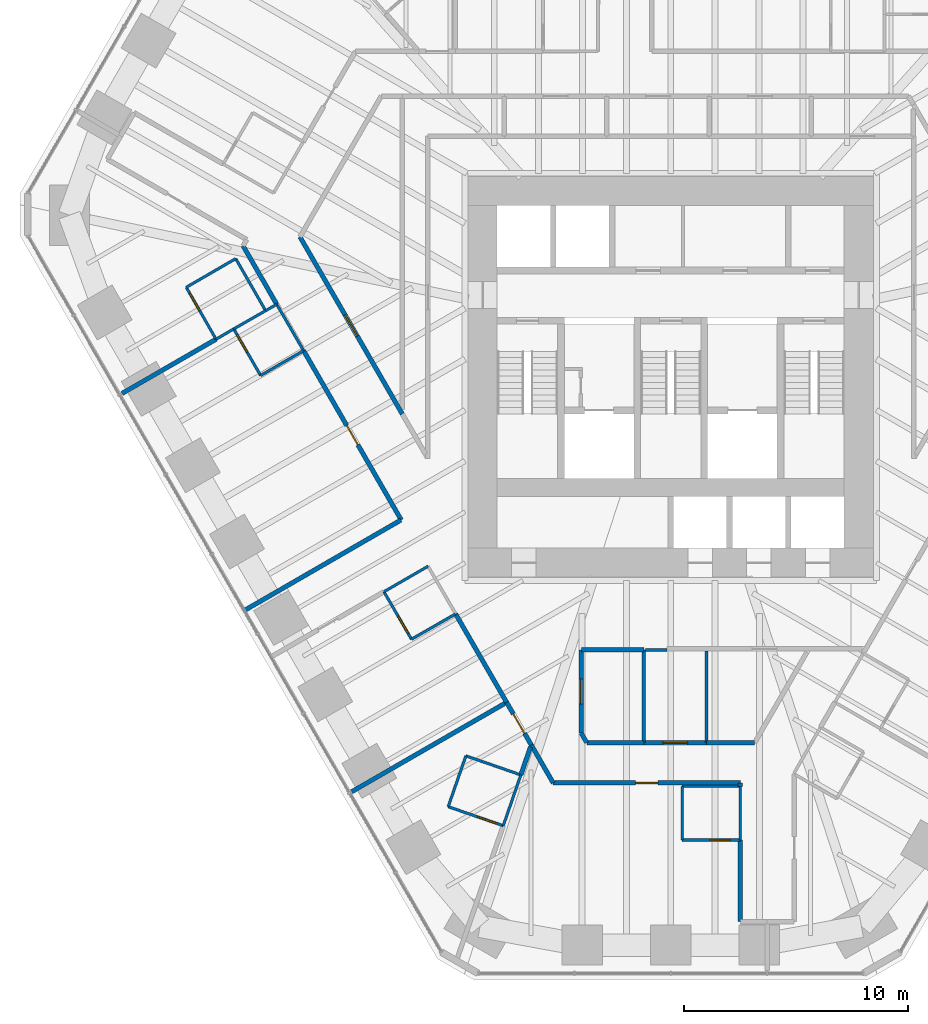
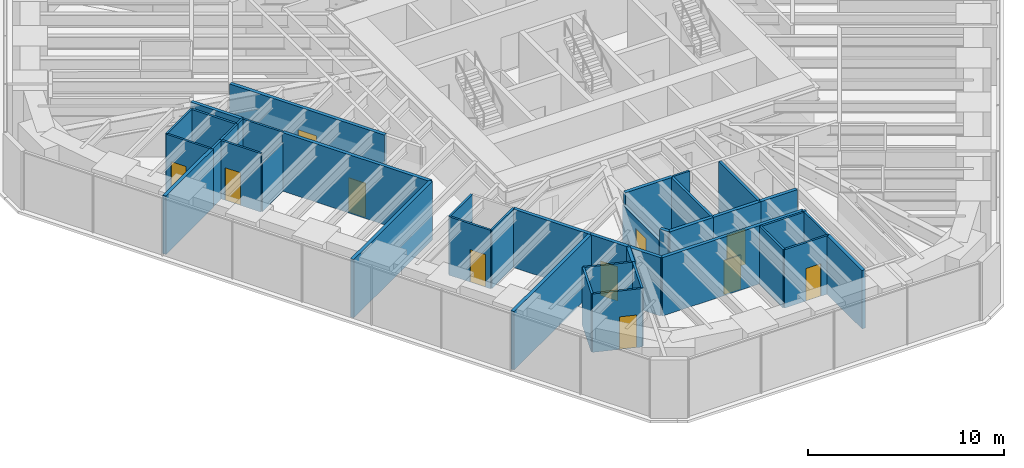
# One storey, part 11 of 17: 42 walls, 11 doors, 11 openings.
"""IFC4 building model written with IfcOpenShell, lengths in metres."""

from ifc_helpers import new_model, si_unit, direction, frame, frame_2d, origin, place, context, subcontext, project, spatial, rectangle, extrude, material, layer, layer_set, type_object, element, fill, save


model = new_model("IFC4")

# Units and contexts
model_context = context("Model", 3, precision=1e-05, world=origin(), true_north=direction((0.0, 1.0)))
body_context = subcontext(model_context, "Body", "Model", "MODEL_VIEW")
ifc_project = project(units=[si_unit("LENGTHUNIT", "METRE"), si_unit("AREAUNIT", "SQUARE_METRE"), si_unit("VOLUMEUNIT", "CUBIC_METRE"), si_unit("PLANEANGLEUNIT", "RADIAN"), si_unit("MASSUNIT", "GRAM", prefix="KILO")], contexts=[model_context])

# Site, building, storey
site_placement = place(None, origin())
site = spatial("IfcSite", under=ifc_project, at=site_placement, CompositionType="ELEMENT")
building_placement = place(site_placement, origin())
building = spatial("IfcBuilding", under=site, at=building_placement, Name="Sandreach Pilgrim Tower", CompositionType="ELEMENT")
storey_placement = place(building_placement, frame((0.0, 0.0, 146.199951171875)))
storey = spatial("IfcBuildingStorey", under=building, at=storey_placement, Name="L36", CompositionType="ELEMENT", Elevation=146.199951171875)

# Walls
ifc_material_1 = material(Name="Gypsum board on steel studs", Category="steel")
ifc_layer_1 = layer(ifc_material_1, 0.14990234375)
ifc_layer_set_1 = layer_set([ifc_layer_1], Name="Back of house wall 150")
wall_type_1 = type_object("IfcWallType", Name="Back of house wall 150", PredefinedType="PARTITIONING", material=ifc_layer_set_1)
wall_1_placement = place(storey_placement, frame((-1.199951171875, -13.75, 0.0), z_axis=(0.0, 0.0, 1.0), x_axis=(0.0, -1.0, 0.0)))
element("IfcWall", 1, at=wall_1_placement, inside=storey, type_object=wall_type_1, Name="Back of house wall L36-073", PredefinedType="PARTITIONING", context=body_context, shape_type="SweptSolid", body=[
    extrude(rectangle(XDim=4.139892578125, YDim=0.14990234375, at=frame_2d((2.06982421875, 0.0))), origin(), (0.0, 0.0, 1.0), 3.64013671875),
])
wall_2_placement = place(storey_placement, frame((1.60009765625, -13.800048828125, 0.0), z_axis=(0.0, 0.0, 1.0), x_axis=(0.0, -1.0, 0.0)))
element("IfcWall", 2, at=wall_2_placement, inside=storey, type_object=wall_type_1, Name="Back of house wall L36-079", PredefinedType="PARTITIONING", context=body_context, shape_type="SweptSolid", body=[
    extrude(rectangle(XDim=4.08984375, YDim=0.14990234375, at=frame_2d((2.044921875, 0.0))), origin(), (0.0, 0.0, 1.0), 3.64013671875),
])

# Wall, opening, door
ifc_material_2 = material(Name="Moisture-resistant gypsum board on steel studs", Category="steel")
ifc_layer_2 = layer(ifc_material_2, 0.1201171875)
ifc_layer_set_2 = layer_set([ifc_layer_2], Name="Bathroom partition 120")
wall_type_2 = type_object("IfcWallType", Name="Bathroom partition 120", PredefinedType="PARTITIONING", material=ifc_layer_set_2)
wall_3_placement = place(storey_placement, frame((-21.639892578125, 2.449951171875, 0.0), z_axis=(0.0, 0.0, 1.0), x_axis=(0.497288831399, -0.867585049529, 0.0)))
wall_3 = element("IfcWall", 3, at=wall_3_placement, inside=storey, type_object=wall_type_2, Name="Bathroom partition L36-007", PredefinedType="PARTITIONING", context=body_context, shape_type="SweptSolid", body=[
    extrude(rectangle(XDim=2.674072265625, YDim=0.1201171875, at=frame_2d((1.3369140625, 0.0))), origin(), (0.0, 0.0, 1.0), 3.64013671875),
])
opening_1_placement = place(wall_3_placement, frame((0.300048828125, 0.0, 0.0)))
opening_1 = element("IfcOpeningElement", 4, at=opening_1_placement, cuts=wall_3, Name="Opening D09-14B", PredefinedType="OPENING", context=body_context, shape_type="SweptSolid", body=[
    extrude(rectangle(XDim=0.89990234375, YDim=2.030029296875, at=frame_2d((0.449951171875, 1.01513671875))), frame((0.0, 0.06005859375, 0.0), z_axis=(0.0, -1.0, 0.0), x_axis=(1.0, 0.0, 0.0)), (0.0, 0.0, 1.0), 0.1201171875),
])
ifc_material_3 = material(Name="Timber door, steel frame", Category="steel")
door_type_1 = type_object("IfcDoorType", Name="Bathroom door", OperationType="SINGLE_SWING_LEFT", PredefinedType="DOOR", material=ifc_material_3)
door_1_placement = place(opening_1_placement, origin())
door_1 = element("IfcDoor", 5, at=door_1_placement, inside=storey, type_object=door_type_1, Name="Door 3614B", OperationType="SINGLE_SWING_LEFT", OverallHeight=2.030029296875, OverallWidth=0.89990234375, PredefinedType="DOOR", context=body_context, shape_type="SweptSolid", body=[
    extrude(rectangle(XDim=0.89990234375, YDim=2.030029296875, at=frame_2d((0.449951171875, 1.01513671875))), frame((0.0, 0.02490234375, 0.0), z_axis=(0.0, -1.0, 0.0), x_axis=(1.0, 0.0, 0.0)), (0.0, 0.0, 1.0), 0.050048828125),
])
fill(opening_1, door_1)

# Wall
wall_4_placement = place(storey_placement, frame((-20.31005859375, 0.1298828125, 0.0), z_axis=(0.0, 0.0, 1.0), x_axis=(0.864088651014, 0.503339649926, 0.0)))
element("IfcWall", 6, at=wall_4_placement, inside=storey, type_object=wall_type_2, Name="Bathroom partition L36-008", PredefinedType="PARTITIONING", context=body_context, shape_type="SweptSolid", body=[
    extrude(rectangle(XDim=0.914306640625, YDim=0.1201171875, at=frame_2d((0.45703125, 0.0))), origin(), (0.0, 0.0, 1.0), 3.64013671875),
])

# Wall, opening, door
wall_5_placement = place(storey_placement, frame((-19.52001953125, 0.590087890625, 0.0), z_axis=(0.0, 0.0, 1.0), x_axis=(0.499693115345, -0.866202511239, 0.0)))
wall_5 = element("IfcWall", 7, at=wall_5_placement, inside=storey, type_object=wall_type_2, Name="Bathroom partition L36-010", PredefinedType="PARTITIONING", context=body_context, shape_type="SweptSolid", body=[
    extrude(rectangle(XDim=2.4013671875, YDim=0.1201171875, at=frame_2d((1.20068359375, 0.0))), origin(), (0.0, 0.0, 1.0), 3.64013671875),
])
opening_2_placement = place(wall_5_placement, frame((0.300048828125, 0.0, 0.0)))
opening_2 = element("IfcOpeningElement", 8, at=opening_2_placement, cuts=wall_5, Name="Opening D09-13B", PredefinedType="OPENING", context=body_context, shape_type="SweptSolid", body=[
    extrude(rectangle(XDim=0.89990234375, YDim=2.030029296875, at=frame_2d((0.449951171875, 1.01513671875))), frame((0.0, 0.06005859375, 0.0), z_axis=(0.0, -1.0, 0.0), x_axis=(1.0, 0.0, 0.0)), (0.0, 0.0, 1.0), 0.1201171875),
])
door_2_placement = place(opening_2_placement, origin())
door_2 = element("IfcDoor", 9, at=door_2_placement, inside=storey, type_object=door_type_1, Name="Door 3613B", OperationType="SINGLE_SWING_LEFT", OverallHeight=2.030029296875, OverallWidth=0.89990234375, PredefinedType="DOOR", context=body_context, shape_type="SweptSolid", body=[
    extrude(rectangle(XDim=0.89990234375, YDim=2.030029296875, at=frame_2d((0.449951171875, 1.01513671875))), frame((0.0, 0.02490234375, 0.0), z_axis=(0.0, -1.0, 0.0), x_axis=(1.0, 0.0, 0.0)), (0.0, 0.0, 1.0), 0.050048828125),
])
fill(opening_2, door_2)

# Walls
wall_6_placement = place(storey_placement, frame((-19.52001953125, 0.590087890625, 0.0), z_axis=(0.0, 0.0, 1.0), x_axis=(0.868013991935, 0.496539736381, 0.0)))
element("IfcWall", 10, at=wall_6_placement, inside=storey, type_object=wall_type_2, Name="Bathroom partition L36-011", PredefinedType="PARTITIONING", context=body_context, shape_type="SweptSolid", body=[
    extrude(rectangle(XDim=1.6396484375, YDim=0.1201171875, at=frame_2d((0.81982421875, 0.0))), origin(), (0.0, 0.0, 1.0), 3.64013671875),
])
wall_7_placement = place(storey_placement, frame((-19.429931640625, 3.72998046875, 0.0), z_axis=(0.0, 0.0, 1.0), x_axis=(-0.865328095335, -0.50120583339, 0.0)))
element("IfcWall", 11, at=wall_7_placement, inside=storey, type_object=wall_type_2, Name="Bathroom partition L36-012", PredefinedType="PARTITIONING", context=body_context, shape_type="SweptSolid", body=[
    extrude(rectangle(XDim=2.553955078125, YDim=0.1201171875, at=frame_2d((1.27685546875, 0.0))), origin(), (0.0, 0.0, 1.0), 3.64013671875),
])
wall_8_placement = place(storey_placement, frame((-18.320068359375, -1.489990234375, 0.0), z_axis=(0.0, 0.0, 1.0), x_axis=(0.865732595383, 0.500506816428, 0.0)))
element("IfcWall", 12, at=wall_8_placement, inside=storey, type_object=wall_type_2, Name="Bathroom partition L36-017", PredefinedType="PARTITIONING", context=body_context, shape_type="SweptSolid", body=[
    extrude(rectangle(XDim=2.218017578125, YDim=0.1201171875, at=frame_2d((1.10888671875, 0.0))), origin(), (0.0, 0.0, 1.0), 3.02294921875),
])
wall_9_placement = place(storey_placement, frame((-18.10009765625, 1.409912109375, 0.0), z_axis=(0.0, 0.0, 1.0), x_axis=(-0.497288831399, 0.867585049529, 0.0)))
element("IfcWall", 13, at=wall_9_placement, inside=storey, type_object=wall_type_2, Name="Bathroom partition L36-018", PredefinedType="PARTITIONING", context=body_context, shape_type="SweptSolid", body=[
    extrude(rectangle(XDim=2.674072265625, YDim=0.1201171875, at=frame_2d((1.3369140625, 0.0))), origin(), (0.0, 0.0, 1.0), 3.64013671875),
])
wall_10_placement = place(storey_placement, frame((-18.0966796875, 1.404296875, 0.0), z_axis=(0.0, 0.0, 1.0), x_axis=(0.866823419736, 0.498615241441, 0.0)))
element("IfcWall", 14, at=wall_10_placement, inside=storey, type_object=wall_type_2, Name="Bathroom partition L36-019", PredefinedType="PARTITIONING", context=body_context, shape_type="SweptSolid", body=[
    extrude(rectangle(XDim=0.57275390625, YDim=0.1201171875, at=frame_2d((0.286376953125, 0.0))), origin(), (0.0, 0.0, 1.0), 3.64013671875),
])
wall_11_placement = place(storey_placement, frame((-17.60009765625, 1.68994140625, 0.0), z_axis=(0.0, 0.0, 1.0), x_axis=(0.501623408317, -0.865086097581, 0.0)))
element("IfcWall", 15, at=wall_11_placement, inside=storey, type_object=wall_type_2, Name="Bathroom partition L36-022", PredefinedType="PARTITIONING", context=body_context, shape_type="SweptSolid", body=[
    extrude(rectangle(XDim=2.392578125, YDim=0.1201171875, at=frame_2d((1.1962890625, 0.0))), origin(), (0.0, 0.0, 1.0), 3.64013671875),
])

# Wall, opening, door
wall_12_placement = place(storey_placement, frame((-12.81005859375, -11.14990234375, 0.0), z_axis=(0.0, 0.0, 1.0), x_axis=(0.501813488763, -0.864975850817, 0.0)))
wall_12 = element("IfcWall", 16, at=wall_12_placement, inside=storey, type_object=wall_type_2, Name="Bathroom partition L36-030", PredefinedType="PARTITIONING", context=body_context, shape_type="SweptSolid", body=[
    extrude(rectangle(XDim=2.451171875, YDim=0.1201171875, at=frame_2d((1.2255859375, 0.0))), origin(), (0.0, 0.0, 1.0), 3.64013671875),
])
opening_3_placement = place(wall_12_placement, frame((1.2509765625, 0.0, 0.0)))
opening_3 = element("IfcOpeningElement", 17, at=opening_3_placement, cuts=wall_12, Name="Opening D09-12B", PredefinedType="OPENING", context=body_context, shape_type="SweptSolid", body=[
    extrude(rectangle(XDim=0.89990234375, YDim=2.030029296875, at=frame_2d((0.449951171875, 1.01513671875))), frame((0.0, 0.06005859375, 0.0), z_axis=(0.0, -1.0, 0.0), x_axis=(1.0, 0.0, 0.0)), (0.0, 0.0, 1.0), 0.1201171875),
])
door_3_placement = place(opening_3_placement, origin())
door_3 = element("IfcDoor", 18, at=door_3_placement, inside=storey, type_object=door_type_1, Name="Door 3612B", OperationType="SINGLE_SWING_RIGHT", OverallHeight=2.030029296875, OverallWidth=0.89990234375, PredefinedType="DOOR", context=body_context, shape_type="SweptSolid", body=[
    extrude(rectangle(XDim=0.89990234375, YDim=2.030029296875, at=frame_2d((0.449951171875, 1.01513671875))), frame((0.0, 0.02490234375, 0.0), z_axis=(0.0, -1.0, 0.0), x_axis=(1.0, 0.0, 0.0)), (0.0, 0.0, 1.0), 0.050048828125),
])
fill(opening_3, door_3)

# Walls
wall_13_placement = place(storey_placement, frame((-12.81005859375, -11.14990234375, 0.0), z_axis=(0.0, 0.0, 1.0), x_axis=(0.865543766642, 0.500833293649, 0.0)))
element("IfcWall", 19, at=wall_13_placement, inside=storey, type_object=wall_type_2, Name="Bathroom partition L36-031", PredefinedType="PARTITIONING", context=body_context, shape_type="SweptSolid", body=[
    extrude(rectangle(XDim=2.27587890625, YDim=0.1201171875, at=frame_2d((1.137939453125, 0.0))), origin(), (0.0, 0.0, 1.0), 3.64013671875),
])
wall_14_placement = place(storey_placement, frame((-11.580078125, -13.27001953125, 0.0), z_axis=(0.0, 0.0, 1.0), x_axis=(0.867428373024, 0.497562074192, 0.0)))
element("IfcWall", 20, at=wall_14_placement, inside=storey, type_object=wall_type_2, Name="Bathroom partition L36-039", PredefinedType="PARTITIONING", context=body_context, shape_type="SweptSolid", body=[
    extrude(rectangle(XDim=2.271240234375, YDim=0.1201171875, at=frame_2d((1.1357421875, 0.0))), origin(), (0.0, 0.0, 1.0), 3.64013671875),
])

# Wall, opening, door
wall_15_placement = place(storey_placement, frame((-9.93994140625, -20.75, 0.0), z_axis=(0.0, 0.0, 1.0), x_axis=(0.94515546045, -0.326620813149, 0.0)))
wall_15 = element("IfcWall", 21, at=wall_15_placement, inside=storey, type_object=wall_type_2, Name="Bathroom partition L36-045", PredefinedType="PARTITIONING", context=body_context, shape_type="SweptSolid", body=[
    extrude(rectangle(XDim=2.602783203125, YDim=0.1201171875, at=frame_2d((1.30126953125, 0.0))), origin(), (0.0, 0.0, 1.0), 3.64013671875),
])
opening_4_placement = place(wall_15_placement, frame((1.402587890625, 0.0, 0.0)))
opening_4 = element("IfcOpeningElement", 22, at=opening_4_placement, cuts=wall_15, Name="Opening D09-11B", PredefinedType="OPENING", context=body_context, shape_type="SweptSolid", body=[
    extrude(rectangle(XDim=0.89990234375, YDim=2.030029296875, at=frame_2d((0.449951171875, 1.01513671875))), frame((0.0, 0.06005859375, 0.0), z_axis=(0.0, -1.0, 0.0), x_axis=(1.0, 0.0, 0.0)), (0.0, 0.0, 1.0), 0.1201171875),
])
door_4_placement = place(opening_4_placement, origin())
door_4 = element("IfcDoor", 23, at=door_4_placement, inside=storey, type_object=door_type_1, Name="Door 3611B", OperationType="SINGLE_SWING_RIGHT", OverallHeight=2.030029296875, OverallWidth=0.89990234375, PredefinedType="DOOR", context=body_context, shape_type="SweptSolid", body=[
    extrude(rectangle(XDim=0.89990234375, YDim=2.030029296875, at=frame_2d((0.449951171875, 1.01513671875))), frame((0.0, 0.02490234375, 0.0), z_axis=(0.0, -1.0, 0.0), x_axis=(1.0, 0.0, 0.0)), (0.0, 0.0, 1.0), 0.050048828125),
])
fill(opening_4, door_4)

# Walls
wall_16_placement = place(storey_placement, frame((-9.14990234375, -18.47998046875, 0.0), z_axis=(0.0, 0.0, 1.0), x_axis=(-0.328693963496, -0.944436487203, 0.0)))
element("IfcWall", 24, at=wall_16_placement, inside=storey, type_object=wall_type_2, Name="Bathroom partition L36-050", PredefinedType="PARTITIONING", context=body_context, shape_type="SweptSolid", body=[
    extrude(rectangle(XDim=2.403564453125, YDim=0.1201171875, at=frame_2d((1.20166015625, 0.0))), origin(), (0.0, 0.0, 1.0), 3.64013671875),
])
wall_17_placement = place(storey_placement, frame((-7.47998046875, -21.60009765625, 0.0), z_axis=(0.0, 0.0, 1.0), x_axis=(0.326492166492, 0.945199907543, 0.0)))
element("IfcWall", 25, at=wall_17_placement, inside=storey, type_object=wall_type_2, Name="Bathroom partition L36-051", PredefinedType="PARTITIONING", context=body_context, shape_type="SweptSolid", body=[
    extrude(rectangle(XDim=2.400390625, YDim=0.1201171875, at=frame_2d((1.2001953125, 0.0))), origin(), (0.0, 0.0, 1.0), 3.64013671875),
])
wall_18_placement = place(storey_placement, frame((-6.699951171875, -19.330078125, 0.0), z_axis=(0.0, 0.0, 1.0), x_axis=(-0.944753042377, 0.327782990589, 0.0)))
element("IfcWall", 26, at=wall_18_placement, inside=storey, type_object=wall_type_2, Name="Bathroom partition L36-056", PredefinedType="PARTITIONING", context=body_context, shape_type="SweptSolid", body=[
    extrude(rectangle(XDim=2.593505859375, YDim=0.1201171875, at=frame_2d((1.296875, 0.0))), origin(), (0.0, 0.0, 1.0), 3.64013671875),
])
wall_19_placement = place(storey_placement, frame((-1.125, -13.75, 0.0), z_axis=(0.0, 0.0, 1.0), x_axis=(1.0, 0.0, 0.0)))
element("IfcWall", 27, at=wall_19_placement, inside=storey, type_object=wall_type_2, Name="Bathroom partition L36-074", PredefinedType="PARTITIONING", context=body_context, shape_type="SweptSolid", body=[
    extrude(rectangle(XDim=0.955078125, YDim=0.1201171875, at=frame_2d((0.4775390625, 0.0))), origin(), (0.0, 0.0, 1.0), 3.64013671875),
])

# Wall, opening, door
wall_20_placement = place(storey_placement, frame((0.510009765625, -22.239990234375, 0.0), z_axis=(0.0, 0.0, 1.0), x_axis=(1.0, 0.0, 0.0)))
wall_20 = element("IfcWall", 28, at=wall_20_placement, inside=storey, type_object=wall_type_2, Name="Bathroom partition L36-076", PredefinedType="PARTITIONING", context=body_context, shape_type="SweptSolid", body=[
    extrude(rectangle(XDim=2.60009765625, YDim=0.1201171875, at=frame_2d((1.300048828125, 0.0))), origin(), (0.0, 0.0, 1.0), 3.64013671875),
])
opening_5_placement = place(wall_20_placement, frame((1.25, 0.0, 0.0)))
opening_5 = element("IfcOpeningElement", 29, at=opening_5_placement, cuts=wall_20, Name="Opening D09-10B", PredefinedType="OPENING", context=body_context, shape_type="SweptSolid", body=[
    extrude(rectangle(XDim=0.89990234375, YDim=2.030029296875, at=frame_2d((0.449951171875, 1.01513671875))), frame((0.0, 0.06005859375, 0.0), z_axis=(0.0, -1.0, 0.0), x_axis=(1.0, 0.0, 0.0)), (0.0, 0.0, 1.0), 0.1201171875),
])
door_5_placement = place(opening_5_placement, origin())
door_5 = element("IfcDoor", 30, at=door_5_placement, inside=storey, type_object=door_type_1, Name="Door 3610B", OperationType="SINGLE_SWING_RIGHT", OverallHeight=2.030029296875, OverallWidth=0.89990234375, PredefinedType="DOOR", context=body_context, shape_type="SweptSolid", body=[
    extrude(rectangle(XDim=0.89990234375, YDim=2.030029296875, at=frame_2d((0.449951171875, 1.01513671875))), frame((0.0, 0.02490234375, 0.0), z_axis=(0.0, -1.0, 0.0), x_axis=(1.0, 0.0, 0.0)), (0.0, 0.0, 1.0), 0.050048828125),
])
fill(opening_5, door_5)

# Walls
wall_21_placement = place(storey_placement, frame((0.510009765625, -19.840087890625, 0.0), z_axis=(0.0, 0.0, 1.0), x_axis=(0.0, -1.0, 0.0)))
element("IfcWall", 31, at=wall_21_placement, inside=storey, type_object=wall_type_2, Name="Bathroom partition L36-077", PredefinedType="PARTITIONING", context=body_context, shape_type="SweptSolid", body=[
    extrude(rectangle(XDim=2.39990234375, YDim=0.1201171875, at=frame_2d((1.199951171875, 0.0))), origin(), (0.0, 0.0, 1.0), 3.64013671875),
])
wall_22_placement = place(storey_placement, frame((3.110107421875, -19.840087890625, 0.0), z_axis=(0.0, 0.0, 1.0), x_axis=(-1.0, 0.0, 0.0)))
element("IfcWall", 32, at=wall_22_placement, inside=storey, type_object=wall_type_2, Name="Bathroom partition L36-084", PredefinedType="PARTITIONING", context=body_context, shape_type="SweptSolid", body=[
    extrude(rectangle(XDim=2.60009765625, YDim=0.1201171875, at=frame_2d((1.300048828125, 0.0))), origin(), (0.0, 0.0, 1.0), 3.64013671875),
])
wall_23_placement = place(storey_placement, frame((3.110107421875, -19.840087890625, 0.0), z_axis=(0.0, 0.0, 1.0), x_axis=(0.0, -1.0, 0.0)))
element("IfcWall", 33, at=wall_23_placement, inside=storey, type_object=wall_type_2, Name="Bathroom partition L36-085", PredefinedType="PARTITIONING", context=body_context, shape_type="SweptSolid", body=[
    extrude(rectangle(XDim=2.39990234375, YDim=0.1201171875, at=frame_2d((1.199951171875, 0.0))), origin(), (0.0, 0.0, 1.0), 3.64013671875),
])
ifc_material_4 = material(Name="Gypsum board on steel studs, two layers each side", Category="steel")
ifc_layer_3 = layer(ifc_material_4, 0.199951171875)
ifc_layer_set_3 = layer_set([ifc_layer_3], Name="Corridor wall 200")
wall_type_3 = type_object("IfcWallType", Name="Corridor wall 200", PredefinedType="PARTITIONING", material=ifc_layer_set_3)
wall_24_placement = place(storey_placement, frame((-19.10009765625, 4.300048828125, 0.0), z_axis=(0.0, 0.0, 1.0), x_axis=(0.498268459914, -0.867022803538, 0.0)))
element("IfcWall", 34, at=wall_24_placement, inside=storey, type_object=wall_type_3, Name="Corridor wall L36-014", PredefinedType="PARTITIONING", context=body_context, shape_type="SweptSolid", body=[
    extrude(rectangle(XDim=3.010498046875, YDim=0.199951171875, at=frame_2d((1.50537109375, 0.0))), origin(), (0.0, 0.0, 1.0), 3.64013671875),
])

# Wall, opening, door
wall_25_placement = place(storey_placement, frame((-16.39990234375, -0.3798828125, 0.0), z_axis=(0.0, 0.0, 1.0), x_axis=(0.499575523811, -0.866270336563, 0.0)))
wall_25 = element("IfcWall", 35, at=wall_25_placement, inside=storey, type_object=wall_type_3, Name="Corridor wall L36-026", PredefinedType="PARTITIONING", context=body_context, shape_type="SweptSolid", body=[
    extrude(rectangle(XDim=8.72705078125, YDim=0.199951171875, at=frame_2d((4.363525390625, 0.0))), origin(), (0.0, 0.0, 1.0), 3.64013671875),
])
opening_6_placement = place(wall_25_placement, frame((3.863525390625, 0.0, 0.0)))
opening_6 = element("IfcOpeningElement", 36, at=opening_6_placement, cuts=wall_25, Name="Opening D10-13", PredefinedType="OPENING", context=body_context, shape_type="SweptSolid", body=[
    extrude(rectangle(XDim=1.0, YDim=2.1298828125, at=frame_2d((0.5, 1.06494140625))), frame((0.0, 0.10009765625, 0.0), z_axis=(0.0, -1.0, 0.0), x_axis=(1.0, 0.0, 0.0)), (0.0, 0.0, 1.0), 0.199951171875),
])
ifc_material_5 = material(Name="Steel door and frame", Category="steel")
door_type_2 = type_object("IfcDoorType", Name="Guest room entry door", OperationType="SINGLE_SWING_LEFT", PredefinedType="DOOR", material=ifc_material_5)
door_6_placement = place(opening_6_placement, origin())
door_6 = element("IfcDoor", 37, at=door_6_placement, inside=storey, type_object=door_type_2, Name="Door 3613", OperationType="SINGLE_SWING_LEFT", OverallHeight=2.1298828125, OverallWidth=1.0, PredefinedType="DOOR", context=body_context, shape_type="SweptSolid", body=[
    extrude(rectangle(XDim=1.0, YDim=2.1298828125, at=frame_2d((0.5, 1.06494140625))), frame((0.0, 0.02490234375, 0.0), z_axis=(0.0, -1.0, 0.0), x_axis=(1.0, 0.0, 0.0)), (0.0, 0.0, 1.0), 0.050048828125),
])
fill(opening_6, door_6)

# Wall
wall_26_placement = place(storey_placement, frame((-12.052978515625, -7.947509765625, 0.0), z_axis=(0.0, 0.0, 1.0), x_axis=(-0.865882003792, -0.500248293859, 0.0)))
element("IfcWall", 38, at=wall_26_placement, inside=storey, type_object=wall_type_3, Name="Corridor wall L36-035", PredefinedType="PARTITIONING", context=body_context, shape_type="SweptSolid", body=[
    extrude(rectangle(XDim=8.05078125, YDim=0.199951171875, at=frame_2d((4.025390625, 0.0))), origin(), (0.0, 0.0, 1.0), 3.64013671875),
])

# Wall, opening, door
wall_27_placement = place(storey_placement, frame((-11.989990234375, -3.2099609375, 0.0), z_axis=(0.0, 0.0, 1.0), x_axis=(-0.500269138002, 0.865869961116, 0.0)))
wall_27 = element("IfcWall", 39, at=wall_27_placement, inside=storey, type_object=wall_type_3, Name="Corridor wall L36-036", PredefinedType="PARTITIONING", context=body_context, shape_type="SweptSolid", body=[
    extrude(rectangle(XDim=9.13525390625, YDim=0.199951171875, at=frame_2d((4.567626953125, 0.0))), origin(), (0.0, 0.0, 1.0), 3.64013671875),
])
opening_7_placement = place(wall_27_placement, frame((4.017578125, 0.0, 0.0)))
opening_7 = element("IfcOpeningElement", 40, at=opening_7_placement, cuts=wall_27, Name="Opening D11H-M01", PredefinedType="OPENING", context=body_context, shape_type="SweptSolid", body=[
    extrude(rectangle(XDim=1.10009765625, YDim=2.199951171875, at=frame_2d((0.550048828125, 1.10009765625))), frame((0.0, 0.10009765625, 0.0), z_axis=(0.0, -1.0, 0.0), x_axis=(1.0, 0.0, 0.0)), (0.0, 0.0, 1.0), 0.199951171875),
])
ifc_material_6 = material(Name="Steel door and frame", Category="steel")
door_type_3 = type_object("IfcDoorType", Name="Back of house door", OperationType="SINGLE_SWING_LEFT", PredefinedType="DOOR", material=ifc_material_6)
door_7_placement = place(opening_7_placement, origin())
door_7 = element("IfcDoor", 41, at=door_7_placement, inside=storey, type_object=door_type_3, Name="Door 36M01", OperationType="SINGLE_SWING_LEFT", OverallHeight=2.199951171875, OverallWidth=1.10009765625, PredefinedType="DOOR", context=body_context, shape_type="SweptSolid", body=[
    extrude(rectangle(XDim=1.10009765625, YDim=2.199951171875, at=frame_2d((0.550048828125, 1.10009765625))), frame((0.0, 0.02490234375, 0.0), z_axis=(0.0, -1.0, 0.0), x_axis=(1.0, 0.0, 0.0)), (0.0, 0.0, 1.0), 0.050048828125),
])
fill(opening_7, door_7)

# Wall
wall_28_placement = place(storey_placement, frame((-9.610107421875, -12.139892578125, 0.0), z_axis=(0.0, 0.0, 1.0), x_axis=(0.499898533245, -0.866083977718, 0.0)))
element("IfcWall", 42, at=wall_28_placement, inside=storey, type_object=wall_type_3, Name="Corridor wall L36-048", PredefinedType="PARTITIONING", context=body_context, shape_type="SweptSolid", body=[
    extrude(rectangle(XDim=4.56103515625, YDim=0.199951171875, at=frame_2d((2.280517578125, 0.0))), origin(), (0.0, 0.0, 1.0), 3.64013671875),
])

# Wall, opening, door
wall_29_placement = place(storey_placement, frame((-7.3310546875, -16.090576171875, 0.0), z_axis=(0.0, 0.0, 1.0), x_axis=(0.501518373175, -0.865146994081, 0.0)))
wall_29 = element("IfcWall", 43, at=wall_29_placement, inside=storey, type_object=wall_type_3, Name="Corridor wall L36-055", PredefinedType="PARTITIONING", context=body_context, shape_type="SweptSolid", body=[
    extrude(rectangle(XDim=2.195556640625, YDim=0.199951171875, at=frame_2d((1.09765625, 0.0))), origin(), (0.0, 0.0, 1.0), 3.64013671875),
])
opening_8_placement = place(wall_29_placement, frame((0.59765625, 0.0, 0.0)))
opening_8 = element("IfcOpeningElement", 44, at=opening_8_placement, cuts=wall_29, Name="Opening D10-11", PredefinedType="OPENING", context=body_context, shape_type="SweptSolid", body=[
    extrude(rectangle(XDim=1.0, YDim=2.1298828125, at=frame_2d((0.5, 1.06494140625))), frame((0.0, 0.10009765625, 0.0), z_axis=(0.0, -1.0, 0.0), x_axis=(1.0, 0.0, 0.0)), (0.0, 0.0, 1.0), 0.199951171875),
])
door_8_placement = place(opening_8_placement, origin())
door_8 = element("IfcDoor", 45, at=door_8_placement, inside=storey, type_object=door_type_2, Name="Door 3611", OperationType="SINGLE_SWING_LEFT", OverallHeight=2.1298828125, OverallWidth=1.0, PredefinedType="DOOR", context=body_context, shape_type="SweptSolid", body=[
    extrude(rectangle(XDim=1.0, YDim=2.1298828125, at=frame_2d((0.5, 1.06494140625))), frame((0.0, 0.02490234375, 0.0), z_axis=(0.0, -1.0, 0.0), x_axis=(1.0, 0.0, 0.0)), (0.0, 0.0, 1.0), 0.050048828125),
])
fill(opening_8, door_8)

# Wall
wall_30_placement = place(storey_placement, frame((-6.22998046875, -17.989990234375, 0.0), z_axis=(0.0, 0.0, 1.0), x_axis=(0.499431599995, -0.866353321068, 0.0)))
element("IfcWall", 46, at=wall_30_placement, inside=storey, type_object=wall_type_3, Name="Corridor wall L36-058", PredefinedType="PARTITIONING", context=body_context, shape_type="SweptSolid", body=[
    extrude(rectangle(XDim=1.962158203125, YDim=0.199951171875, at=frame_2d((0.98095703125, 0.0))), origin(), (0.0, 0.0, 1.0), 3.64013671875),
])

# Wall, opening, door
wall_31_placement = place(storey_placement, frame((-5.25, -19.68994140625, 0.0), z_axis=(0.0, 0.0, 1.0), x_axis=(1.0, 0.0, 0.0)))
wall_31 = element("IfcWall", 47, at=wall_31_placement, inside=storey, type_object=wall_type_3, Name="Corridor wall L36-061", PredefinedType="PARTITIONING", context=body_context, shape_type="SweptSolid", body=[
    extrude(rectangle(XDim=8.360107421875, YDim=0.199951171875, at=frame_2d((4.18017578125, 0.0))), origin(), (0.0, 0.0, 1.0), 3.64013671875),
])
opening_9_placement = place(wall_31_placement, frame((3.679931640625, 0.0, 0.0)))
opening_9 = element("IfcOpeningElement", 48, at=opening_9_placement, cuts=wall_31, Name="Opening D10-10", PredefinedType="OPENING", context=body_context, shape_type="SweptSolid", body=[
    extrude(rectangle(XDim=1.0, YDim=2.1298828125, at=frame_2d((0.5, 1.06494140625))), frame((0.0, 0.10009765625, 0.0), z_axis=(0.0, -1.0, 0.0), x_axis=(1.0, 0.0, 0.0)), (0.0, 0.0, 1.0), 0.199951171875),
])
door_9_placement = place(opening_9_placement, origin())
door_9 = element("IfcDoor", 49, at=door_9_placement, inside=storey, type_object=door_type_2, Name="Door 3610", OperationType="SINGLE_SWING_LEFT", OverallHeight=2.1298828125, OverallWidth=1.0, PredefinedType="DOOR", context=body_context, shape_type="SweptSolid", body=[
    extrude(rectangle(XDim=1.0, YDim=2.1298828125, at=frame_2d((0.5, 1.06494140625))), frame((0.0, 0.02490234375, 0.0), z_axis=(0.0, -1.0, 0.0), x_axis=(1.0, 0.0, 0.0)), (0.0, 0.0, 1.0), 0.050048828125),
])
fill(opening_9, door_9)

wall_32_placement = place(storey_placement, frame((-4.0, -17.4599609375, 0.0), z_axis=(0.0, 0.0, 1.0), x_axis=(0.0, 1.0, 0.0)))
wall_32 = element("IfcWall", 50, at=wall_32_placement, inside=storey, type_object=wall_type_3, Name="Corridor wall L36-062", PredefinedType="PARTITIONING", context=body_context, shape_type="SweptSolid", body=[
    extrude(rectangle(XDim=3.7099609375, YDim=0.199951171875, at=frame_2d((1.85498046875, 0.0))), origin(), (0.0, 0.0, 1.0), 2.8779296875),
])
opening_10_placement = place(wall_32_placement, frame((1.304931640625, 0.0, 0.0)))
opening_10 = element("IfcOpeningElement", 51, at=opening_10_placement, cuts=wall_32, Name="Opening D11H-S2", PredefinedType="OPENING", context=body_context, shape_type="SweptSolid", body=[
    extrude(rectangle(XDim=1.10009765625, YDim=2.199951171875, at=frame_2d((0.550048828125, 1.10009765625))), frame((0.0, 0.10009765625, 0.0), z_axis=(0.0, -1.0, 0.0), x_axis=(1.0, 0.0, 0.0)), (0.0, 0.0, 1.0), 0.199951171875),
])
door_10_placement = place(opening_10_placement, origin())
door_10 = element("IfcDoor", 52, at=door_10_placement, inside=storey, type_object=door_type_3, Name="Door 36S2", OperationType="SINGLE_SWING_LEFT", OverallHeight=2.199951171875, OverallWidth=1.10009765625, PredefinedType="DOOR", context=body_context, shape_type="SweptSolid", body=[
    extrude(rectangle(XDim=1.10009765625, YDim=2.199951171875, at=frame_2d((0.550048828125, 1.10009765625))), frame((0.0, 0.02490234375, 0.0), z_axis=(0.0, -1.0, 0.0), x_axis=(1.0, 0.0, 0.0)), (0.0, 0.0, 1.0), 0.050048828125),
])
fill(opening_10, door_10)

# Walls
wall_33_placement = place(storey_placement, frame((-3.989990234375, -13.75, 0.0), z_axis=(0.0, 0.0, 1.0), x_axis=(1.0, 0.0, 0.0)))
element("IfcWall", 53, at=wall_33_placement, inside=storey, type_object=wall_type_3, Name="Corridor wall L36-063", PredefinedType="PARTITIONING", context=body_context, shape_type="SweptSolid", body=[
    extrude(rectangle(XDim=2.7900390625, YDim=0.199951171875, at=frame_2d((1.39501953125, 0.0))), origin(), (0.0, 0.0, 1.0), 3.64013671875),
])
wall_34_placement = place(storey_placement, frame((-3.75, -17.889892578125, 0.0), z_axis=(0.0, 0.0, 1.0), x_axis=(-0.502680181512, 0.864472460588, 0.0)))
element("IfcWall", 54, at=wall_34_placement, inside=storey, type_object=wall_type_3, Name="Corridor wall L36-064", PredefinedType="PARTITIONING", context=body_context, shape_type="SweptSolid", body=[
    extrude(rectangle(XDim=0.497314453125, YDim=0.199951171875, at=frame_2d((0.24853515625, 0.0))), origin(), (0.0, 0.0, 1.0), 3.64013671875),
])
wall_35_placement = place(storey_placement, frame((-1.199951171875, -17.889892578125, 0.0), z_axis=(0.0, 0.0, 1.0), x_axis=(-1.0, 0.0, 0.0)))
element("IfcWall", 55, at=wall_35_placement, inside=storey, type_object=wall_type_3, Name="Corridor wall L36-072", PredefinedType="PARTITIONING", context=body_context, shape_type="SweptSolid", body=[
    extrude(rectangle(XDim=2.550048828125, YDim=0.199951171875, at=frame_2d((1.27490234375, 0.0))), origin(), (0.0, 0.0, 1.0), 3.64013671875),
])

# Wall, opening, door
wall_36_placement = place(storey_placement, frame((1.60009765625, -17.889892578125, 0.0), z_axis=(0.0, 0.0, 1.0), x_axis=(-1.0, 0.0, 0.0)))
wall_36 = element("IfcWall", 56, at=wall_36_placement, inside=storey, type_object=wall_type_3, Name="Corridor wall L36-078", PredefinedType="PARTITIONING", context=body_context, shape_type="SweptSolid", body=[
    extrude(rectangle(XDim=2.800048828125, YDim=0.199951171875, at=frame_2d((1.39990234375, 0.0))), origin(), (0.0, 0.0, 1.0), 3.64013671875),
])
opening_11_placement = place(wall_36_placement, frame((0.85009765625, 0.0, 0.0)))
opening_11 = element("IfcOpeningElement", 57, at=opening_11_placement, cuts=wall_36, Name="Opening D11H-S3", PredefinedType="OPENING", context=body_context, shape_type="SweptSolid", body=[
    extrude(rectangle(XDim=1.10009765625, YDim=2.199951171875, at=frame_2d((0.550048828125, 1.10009765625))), frame((0.0, 0.10009765625, 0.0), z_axis=(0.0, -1.0, 0.0), x_axis=(1.0, 0.0, 0.0)), (0.0, 0.0, 1.0), 0.199951171875),
])
door_11_placement = place(opening_11_placement, origin())
door_11 = element("IfcDoor", 58, at=door_11_placement, inside=storey, type_object=door_type_3, Name="Door 36S3", OperationType="SINGLE_SWING_LEFT", OverallHeight=2.199951171875, OverallWidth=1.10009765625, PredefinedType="DOOR", context=body_context, shape_type="SweptSolid", body=[
    extrude(rectangle(XDim=1.10009765625, YDim=2.199951171875, at=frame_2d((0.550048828125, 1.10009765625))), frame((0.0, 0.02490234375, 0.0), z_axis=(0.0, -1.0, 0.0), x_axis=(1.0, 0.0, 0.0)), (0.0, 0.0, 1.0), 0.050048828125),
])
fill(opening_11, door_11)

# Walls
wall_37_placement = place(storey_placement, frame((3.110107421875, -22.239990234375, 0.0), z_axis=(0.0, 0.0, 1.0), x_axis=(0.0, -1.0, 0.0)))
element("IfcWall", 59, at=wall_37_placement, inside=storey, type_object=wall_type_3, Name="Corridor wall L36-083", PredefinedType="PARTITIONING", context=body_context, shape_type="SweptSolid", body=[
    extrude(rectangle(XDim=3.639892578125, YDim=0.199951171875, at=frame_2d((1.81982421875, 0.0))), origin(), (0.0, 0.0, 1.0), 3.64013671875),
])
wall_38_placement = place(storey_placement, frame((3.110107421875, -19.699951171875, 0.0), z_axis=(0.0, 0.0, 1.0), x_axis=(0.0, -1.0, 0.0)))
element("IfcWall", 60, at=wall_38_placement, inside=storey, type_object=wall_type_3, Name="Corridor wall L36-086", PredefinedType="PARTITIONING", context=body_context, shape_type="SweptSolid", body=[
    extrude(rectangle(XDim=0.14013671875, YDim=0.199951171875, at=frame_2d((0.070068359375, 0.0))), origin(), (0.0, 0.0, 1.0), 3.64013671875),
])
wall_39_placement = place(storey_placement, frame((3.75, -17.889892578125, 0.0), z_axis=(0.0, 0.0, 1.0), x_axis=(-1.0, 0.0, 0.0)))
element("IfcWall", 61, at=wall_39_placement, inside=storey, type_object=wall_type_3, Name="Corridor wall L36-088", PredefinedType="PARTITIONING", context=body_context, shape_type="SweptSolid", body=[
    extrude(rectangle(XDim=2.14990234375, YDim=0.199951171875, at=frame_2d((1.074951171875, 0.0))), origin(), (0.0, 0.0, 1.0), 3.64013671875),
])
ifc_material_7 = material(Name="Double steel stud acoustic wall, gypsum board", Category="steel")
ifc_layer_4 = layer(ifc_material_7, 0.199951171875)
ifc_layer_set_4 = layer_set([ifc_layer_4], Name="Party wall 200")
wall_type_4 = type_object("IfcWallType", Name="Party wall 200", PredefinedType="PARTITIONING", material=ifc_layer_set_4)
wall_40_placement = place(storey_placement, frame((-24.506103515625, -2.2900390625, 0.0), z_axis=(0.0, 0.0, 1.0), x_axis=(0.86626361228, 0.499587183622, 0.0)))
element("IfcWall", 62, at=wall_40_placement, inside=storey, type_object=wall_type_4, Name="Party wall L36-005", PredefinedType="PARTITIONING", context=body_context, shape_type="SweptSolid", body=[
    extrude(rectangle(XDim=4.84375, YDim=0.199951171875, at=frame_2d((2.421875, 0.0))), origin(), (0.0, 0.0, 1.0), 3.64013671875),
])
wall_41_placement = place(storey_placement, frame((-14.24609375, -20.080078125, 0.0), z_axis=(0.0, 0.0, 1.0), x_axis=(0.866178955952, 0.49973394548, 0.0)))
element("IfcWall", 63, at=wall_41_placement, inside=storey, type_object=wall_type_4, Name="Party wall L36-028", PredefinedType="PARTITIONING", context=body_context, shape_type="SweptSolid", body=[
    extrude(rectangle(XDim=7.969482421875, YDim=0.199951171875, at=frame_2d((3.98486328125, 0.0))), origin(), (0.0, 0.0, 1.0), 3.64013671875),
])
wall_42_placement = place(storey_placement, frame((-6.6962890625, -19.331298828125, 0.0), z_axis=(0.0, 0.0, 1.0), x_axis=(0.328298231075, 0.944574121746, 0.0)))
element("IfcWall", 64, at=wall_42_placement, inside=storey, type_object=wall_type_4, Name="Party wall L36-057", PredefinedType="PARTITIONING", context=body_context, shape_type="SweptSolid", body=[
    extrude(rectangle(XDim=1.320068359375, YDim=0.199951171875, at=frame_2d((0.66015625, 0.0))), origin(), (0.0, 0.0, 1.0), 3.64013671875),
])

save(model, "model.ifc")
